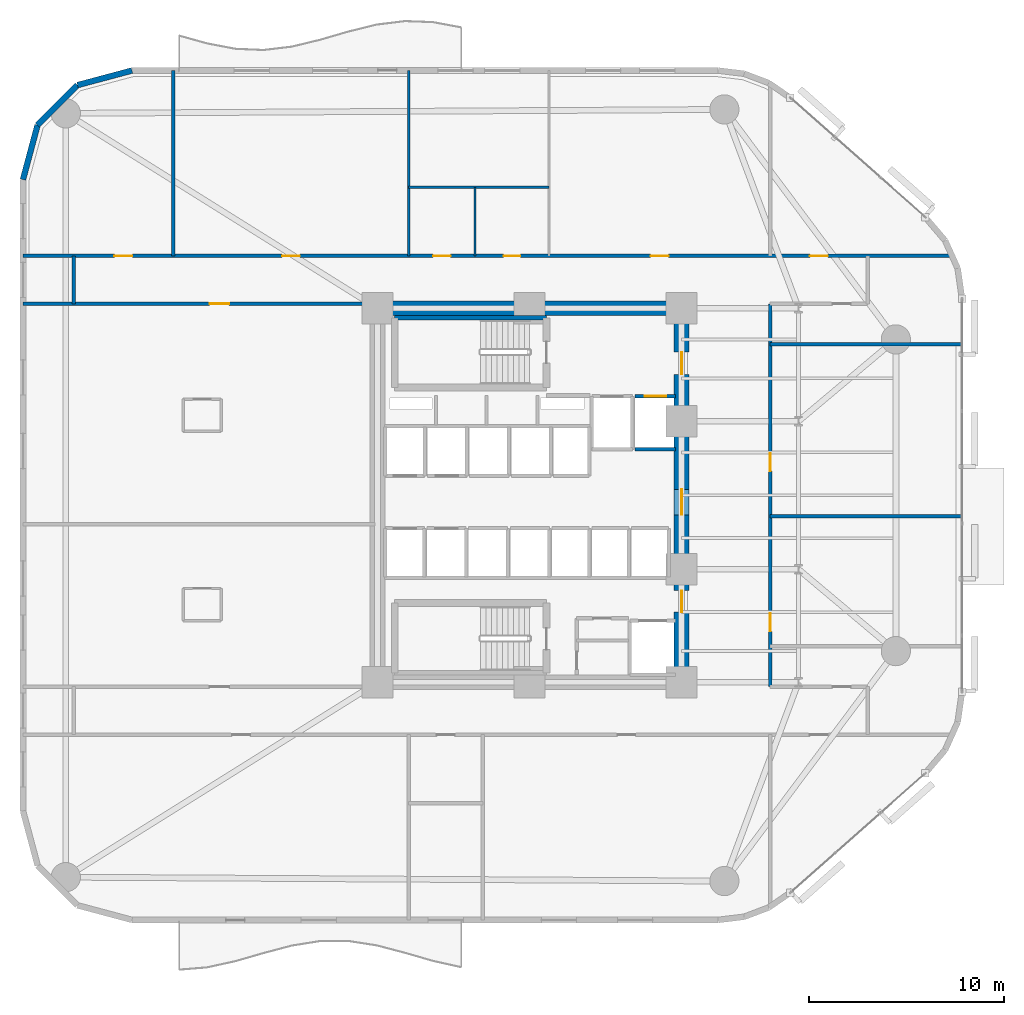
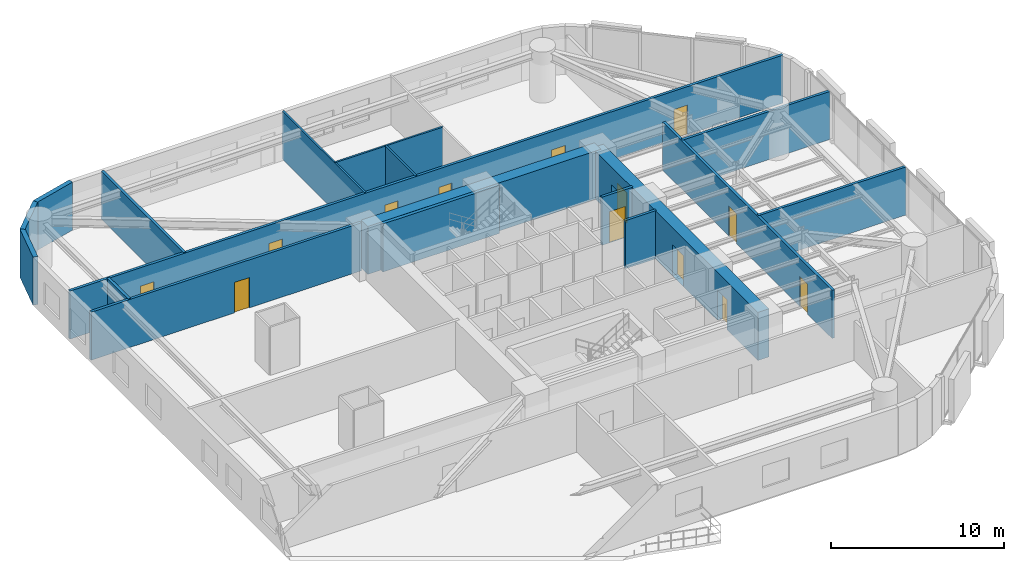
# One storey, part 12 of 16: 18 walls, 13 doors, 13 openings.
"""IFC4 building model written with IfcOpenShell, lengths in metres."""

from ifc_helpers import new_model, si_unit, direction, frame, frame_2d, origin, place, context, subcontext, project, spatial, rectangle, extrude, material, layer, layer_set, type_object, element, fill, save


model = new_model("IFC4")

# Units and contexts
model_context = context("Model", 3, precision=1e-05, world=origin(), true_north=direction((0.0, 1.0)))
body_context = subcontext(model_context, "Body", "Model", "MODEL_VIEW")
ifc_project = project(units=[si_unit("LENGTHUNIT", "METRE"), si_unit("AREAUNIT", "SQUARE_METRE"), si_unit("VOLUMEUNIT", "CUBIC_METRE"), si_unit("PLANEANGLEUNIT", "RADIAN"), si_unit("MASSUNIT", "GRAM", prefix="KILO")], contexts=[model_context])

# Site, building, storey
site_placement = place(None, origin())
site = spatial("IfcSite", under=ifc_project, at=site_placement, CompositionType="ELEMENT")
building_placement = place(site_placement, origin())
building = spatial("IfcBuilding", under=site, at=building_placement, Name="An Khanh Terracotta Commons", CompositionType="ELEMENT")
storey_placement = place(building_placement, frame((0.0, 0.0, 39.60009765625)))
storey = spatial("IfcBuildingStorey", under=building, at=storey_placement, Name="L10", CompositionType="ELEMENT", Elevation=39.60009765625)

# Wall
ifc_material_1 = material(Name="Concrete C70/85", Category="concrete")
ifc_layer_1 = layer(ifc_material_1, 0.75, Name="Concrete C70/85")
ifc_layer_set_1 = layer_set([ifc_layer_1], Name="Concrete C70/85")
wall_type_1 = type_object("IfcWallType", Name="WALL-CORE-750", PredefinedType="SHEAR", material=ifc_layer_set_1)
wall_1_placement = place(storey_placement, frame((21.60009765625, 33.60009765625, 0.0), z_axis=(0.0, 0.0, 1.0), x_axis=(1.0, 0.0, 0.0)))
element("IfcWall", 1, at=wall_1_placement, inside=storey, type_object=wall_type_1, Name="L10 Core Wall CWALL-L10-N", PredefinedType="SHEAR", context=body_context, shape_type="SweptSolid", body=[
    extrude(rectangle(XDim=15.599853515625, YDim=0.75, at=frame_2d((7.7998046875, 0.0))), origin(), (0.0, 0.0, 1.0), 3.39990234375),
])

# Wall, openings, doors
wall_2_placement = place(storey_placement, frame((37.199951171875, 14.39990234375, 0.0), z_axis=(0.0, 0.0, 1.0), x_axis=(0.0, 1.0, 0.0)))
wall_2 = element("IfcWall", 2, at=wall_2_placement, inside=storey, type_object=wall_type_1, Name="L10 Core Wall CWALL-L10-E", PredefinedType="SHEAR", context=body_context, shape_type="SweptSolid", body=[
    extrude(rectangle(XDim=19.2001953125, YDim=0.75, at=frame_2d((9.60009765625, 0.0))), origin(), (0.0, 0.0, 1.0), 3.39990234375),
])
opening_1_placement = place(wall_2_placement, frame((15.800048828125, 0.0, 0.0)))
opening_1 = element("IfcOpeningElement", 3, at=opening_1_placement, cuts=wall_2, Name="Opening D-FFL", PredefinedType="OPENING", context=body_context, shape_type="SweptSolid", body=[
    extrude(rectangle(XDim=1.14990234375, YDim=2.14990234375, at=frame_2d((0.574951171875, 1.074951171875))), frame((0.0, 0.385009765625, 0.0), z_axis=(0.0, -1.0, 0.0), x_axis=(1.0, 0.0, 0.0)), (0.0, 0.0, 1.0), 0.77001953125),
])
opening_2_placement = place(wall_2_placement, frame((3.60009765625, 0.0, 0.0)))
opening_2 = element("IfcOpeningElement", 4, at=opening_2_placement, cuts=wall_2, Name="Opening D-ST", PredefinedType="OPENING", context=body_context, shape_type="SweptSolid", body=[
    extrude(rectangle(XDim=1.10009765625, YDim=2.14990234375, at=frame_2d((0.550048828125, 1.074951171875))), frame((0.0, 0.385009765625, 0.0), z_axis=(0.0, -1.0, 0.0), x_axis=(1.0, 0.0, 0.0)), (0.0, 0.0, 1.0), 0.77001953125),
])
opening_3_placement = place(wall_2_placement, frame((8.60009765625, 0.0, 0.0)))
opening_3 = element("IfcOpeningElement", 5, at=opening_3_placement, cuts=wall_2, Name="Opening D-COR", PredefinedType="OPENING", context=body_context, shape_type="SweptSolid", body=[
    extrude(rectangle(XDim=1.300048828125, YDim=2.199951171875, at=frame_2d((0.64990234375, 1.10009765625))), frame((0.0, 0.385009765625, 0.0), z_axis=(0.0, -1.0, 0.0), x_axis=(1.0, 0.0, 0.0)), (0.0, 0.0, 1.0), 0.77001953125),
])
ifc_material_2 = material(Name="Fire-Rated Glazed Steel Double Door", Category="steel")
door_type_1 = type_object("IfcDoorType", Name="DOOR-CORR-1300", OperationType="NOTDEFINED", PredefinedType="DOOR", material=ifc_material_2)
door_1_placement = place(opening_3_placement, origin())
door_1 = element("IfcDoor", 6, at=door_1_placement, inside=storey, type_object=door_type_1, Name="L10 Passenger Lift Lobby Double Door", OperationType="DOUBLE_DOOR_SINGLE_SWING", OverallHeight=2.199951171875, OverallWidth=1.300048828125, PredefinedType="DOOR", context=body_context, shape_type="SweptSolid", body=[
    extrude(rectangle(XDim=1.300048828125, YDim=2.199951171875, at=frame_2d((0.64990234375, 1.10009765625))), frame((0.0, 0.02490234375, 0.0), z_axis=(0.0, -1.0, 0.0), x_axis=(1.0, 0.0, 0.0)), (0.0, 0.0, 1.0), 0.050048828125),
])
fill(opening_3, door_1)
ifc_material_3 = material(Name="Fire-Rated Steel Leaf and Vision Panel", Category="steel")
door_type_2 = type_object("IfcDoorType", Name="DOOR-FFL-1150", OperationType="NOTDEFINED", PredefinedType="DOOR", material=ifc_material_3)
door_2_placement = place(opening_1_placement, origin())
door_2 = element("IfcDoor", 7, at=door_2_placement, inside=storey, type_object=door_type_2, Name="L10 Firefighting Lift Lobby Fire Door", OperationType="SINGLE_SWING_RIGHT", OverallHeight=2.14990234375, OverallWidth=1.14990234375, PredefinedType="DOOR", context=body_context, shape_type="SweptSolid", body=[
    extrude(rectangle(XDim=1.14990234375, YDim=2.14990234375, at=frame_2d((0.574951171875, 1.074951171875))), frame((0.0, 0.02490234375, 0.0), z_axis=(0.0, -1.0, 0.0), x_axis=(1.0, 0.0, 0.0)), (0.0, 0.0, 1.0), 0.050048828125),
])
fill(opening_1, door_2)
ifc_material_4 = material(Name="Fire-Rated Steel Leaf and Frame", Category="steel")
door_type_3 = type_object("IfcDoorType", Name="DOOR-STAIR-1100", OperationType="NOTDEFINED", PredefinedType="DOOR", material=ifc_material_4)
door_3_placement = place(opening_2_placement, origin())
door_3 = element("IfcDoor", 8, at=door_3_placement, inside=storey, type_object=door_type_3, Name="L10 South Stair Lobby Fire Door", OperationType="SINGLE_SWING_LEFT", OverallHeight=2.14990234375, OverallWidth=1.10009765625, PredefinedType="DOOR", context=body_context, shape_type="SweptSolid", body=[
    extrude(rectangle(XDim=1.10009765625, YDim=2.14990234375, at=frame_2d((0.550048828125, 1.074951171875))), frame((0.0, 0.02490234375, 0.0), z_axis=(0.0, -1.0, 0.0), x_axis=(1.0, 0.0, 0.0)), (0.0, 0.0, 1.0), 0.050048828125),
])
fill(opening_2, door_3)

# Wall, opening, door
ifc_material_5 = material(Name="Fire-Rated Gypsum Board on Steel Stud", Category="steel")
ifc_layer_2 = layer(ifc_material_5, 0.179931640625, Name="Fire-Rated Gypsum Board on Steel Stud")
ifc_layer_set_2 = layer_set([ifc_layer_2], Name="Fire-Rated Gypsum Board on Steel Stud")
wall_type_2 = type_object("IfcWallType", Name="WALL-CORR-180", PredefinedType="PARTITIONING", material=ifc_layer_set_2)
wall_3_placement = place(storey_placement, frame((34.820068359375, 29.080078125, 0.0), z_axis=(0.0, 0.0, 1.0), x_axis=(1.0, 0.0, 0.0)))
wall_3 = element("IfcWall", 9, at=wall_3_placement, inside=storey, type_object=wall_type_2, Name="L10 Core Wall LSH-L10-FFL-02-N", PredefinedType="PARTITIONING", context=body_context, shape_type="SweptSolid", body=[
    extrude(rectangle(XDim=2.079833984375, YDim=0.179931640625, at=frame_2d((1.0400390625, 0.0))), origin(), (0.0, 0.0, 1.0), 3.39990234375),
])
opening_4_placement = place(wall_3_placement, frame((0.489990234375, 0.0, 0.0)))
opening_4 = element("IfcOpeningElement", 10, at=opening_4_placement, cuts=wall_3, Name="Opening LD-FFL-02-L10", PredefinedType="OPENING", context=body_context, shape_type="SweptSolid", body=[
    extrude(rectangle(XDim=1.10009765625, YDim=2.199951171875, at=frame_2d((0.550048828125, 1.10009765625))), frame((0.0, 0.099853515625, 0.0), z_axis=(0.0, -1.0, 0.0), x_axis=(1.0, 0.0, 0.0)), (0.0, 0.0, 1.0), 0.199951171875),
])
ifc_material_6 = material(Name="Brushed Stainless Steel Fire Landing Door", Category="steel")
door_type_4 = type_object("IfcDoorType", Name="DOOR-LD-FFL-1100", OperationType="NOTDEFINED", PredefinedType="DOOR", material=ifc_material_6)
door_4_placement = place(opening_4_placement, origin())
door_4 = element("IfcDoor", 11, at=door_4_placement, inside=storey, type_object=door_type_4, Name="L10 Lift FFL-02 Sliding Landing Door", OperationType="DOUBLE_DOOR_SLIDING", OverallHeight=2.199951171875, OverallWidth=1.10009765625, PredefinedType="DOOR", context=body_context, shape_type="SweptSolid", body=[
    extrude(rectangle(XDim=1.10009765625, YDim=2.199951171875, at=frame_2d((0.550048828125, 1.10009765625))), frame((0.0, 0.02490234375, 0.0), z_axis=(0.0, -1.0, 0.0), x_axis=(1.0, 0.0, 0.0)), (0.0, 0.0, 1.0), 0.050048828125),
])
fill(opening_4, door_4)

# Walls
wall_4_placement = place(storey_placement, frame((36.89990234375, 26.35009765625, 0.0), z_axis=(0.0, 0.0, 1.0), x_axis=(-1.0, 0.0, 0.0)))
element("IfcWall", 12, at=wall_4_placement, inside=storey, type_object=wall_type_2, Name="L10 Core Wall LSH-L10-FFL-02-S", PredefinedType="PARTITIONING", context=body_context, shape_type="SweptSolid", body=[
    extrude(rectangle(XDim=2.079833984375, YDim=0.179931640625, at=frame_2d((1.0400390625, 0.0))), origin(), (0.0, 0.0, 1.0), 3.39990234375),
])
for number, where, z_axis, x_axis, name in (
    (13, (41.75, 22.931884765625, 0.0), (0.0, 0.0, 1.0), (1.0, 0.0, 0.0), "L10 Interior Partition IW-L10-E007"),
    (14, (41.75, 31.741943359375, 0.0), (0.0, 0.0, 1.0), (1.0, 0.0, 0.0), "L10 Interior Partition IW-L10-E008"),
):
    element("IfcWall", number, at=place(storey_placement, frame(where, z_axis=z_axis, x_axis=x_axis)), inside=storey, type_object=wall_type_2, Name=name, PredefinedType="PARTITIONING", context=body_context, shape_type="SweptSolid", body=[
        extrude(rectangle(XDim=9.85009765625, YDim=0.179931640625, at=frame_2d((4.925048828125, 0.0))), origin(), (0.0, 0.0, 1.0), 3.39990234375),
    ])

# Wall, opening, door
wall_5_placement = place(storey_placement, frame((3.39990234375, 33.820068359375, 0.0), z_axis=(0.0, 0.0, 1.0), x_axis=(1.0, 0.0, 0.0)))
wall_5 = element("IfcWall", 15, at=wall_5_placement, inside=storey, type_object=wall_type_2, Name="L10 Interior Partition IW-L10-E009", PredefinedType="PARTITIONING", context=body_context, shape_type="SweptSolid", body=[
    extrude(rectangle(XDim=18.080078125, YDim=0.179931640625, at=frame_2d((9.0400390625, 0.0))), origin(), (0.0, 0.0, 1.0), 3.39990234375),
])
opening_5_placement = place(wall_5_placement, frame((9.580078125, 0.0, 0.0)))
opening_5 = element("IfcOpeningElement", 16, at=opening_5_placement, cuts=wall_5, Name="Opening D-UN", PredefinedType="OPENING", context=body_context, shape_type="SweptSolid", body=[
    extrude(rectangle(XDim=1.0, YDim=2.14990234375, at=frame_2d((0.5, 1.074951171875))), frame((0.0, 0.099853515625, 0.0), z_axis=(0.0, -1.0, 0.0), x_axis=(1.0, 0.0, 0.0)), (0.0, 0.0, 1.0), 0.199951171875),
])
ifc_material_7 = material(Name="Solid-Core Hardwood Acoustic Fire Door", Category="wood")
door_type_5 = type_object("IfcDoorType", Name="DOOR-UNIT-1000", OperationType="NOTDEFINED", PredefinedType="DOOR", material=ifc_material_7)
door_5_placement = place(opening_5_placement, origin())
door_5 = element("IfcDoor", 17, at=door_5_placement, inside=storey, type_object=door_type_5, Name="L10 WW2 Kitchenette and Studio Apartment Door", OperationType="SINGLE_SWING_LEFT", OverallHeight=2.14990234375, OverallWidth=1.0, PredefinedType="DOOR", context=body_context, shape_type="SweptSolid", body=[
    extrude(rectangle(XDim=1.0, YDim=2.14990234375, at=frame_2d((0.5, 1.074951171875))), frame((0.0, 0.02490234375, 0.0), z_axis=(0.0, -1.0, 0.0), x_axis=(1.0, 0.0, 0.0)), (0.0, 0.0, 1.0), 0.050048828125),
])
fill(opening_5, door_5)

# Wall, openings, doors
wall_6_placement = place(storey_placement, frame((3.39990234375, 36.280029296875, 0.0), z_axis=(0.0, 0.0, 1.0), x_axis=(1.0, 0.0, 0.0)))
wall_6 = element("IfcWall", 18, at=wall_6_placement, inside=storey, type_object=wall_type_2, Name="L10 Interior Partition IW-L10-E011", PredefinedType="PARTITIONING", context=body_context, shape_type="SweptSolid", body=[
    extrude(rectangle(XDim=47.689208984375, YDim=0.179931640625, at=frame_2d((23.8447265625, 0.0))), origin(), (0.0, 0.0, 1.0), 3.39990234375),
])
opening_6_placement = place(wall_6_placement, frame((21.050048828125, 0.0, 0.0)))
opening_6 = element("IfcOpeningElement", 19, at=opening_6_placement, cuts=wall_6, Name="Opening D-WC", PredefinedType="OPENING", context=body_context, shape_type="SweptSolid", body=[
    extrude(rectangle(XDim=0.89990234375, YDim=2.10009765625, at=frame_2d((0.449951171875, 1.050048828125))), frame((0.0, 0.099853515625, 0.0), z_axis=(0.0, -1.0, 0.0), x_axis=(1.0, 0.0, 0.0)), (0.0, 0.0, 1.0), 0.199951171875),
])
opening_7_placement = place(wall_6_placement, frame((24.669921875, 0.0, 0.0)))
opening_7 = element("IfcOpeningElement", 20, at=opening_7_placement, cuts=wall_6, Name="Opening D-ENS", PredefinedType="OPENING", context=body_context, shape_type="SweptSolid", body=[
    extrude(rectangle(XDim=0.860107421875, YDim=2.10009765625, at=frame_2d((0.43017578125, 1.050048828125))), frame((0.0, 0.099853515625, 0.0), z_axis=(0.0, -1.0, 0.0), x_axis=(1.0, 0.0, 0.0)), (0.0, 0.0, 1.0), 0.199951171875),
])
opening_8_placement = place(wall_6_placement, frame((40.389892578125, 0.0, 0.0)))
opening_8 = element("IfcOpeningElement", 21, at=opening_8_placement, cuts=wall_6, Name="Opening D-RM", PredefinedType="OPENING", context=body_context, shape_type="SweptSolid", body=[
    extrude(rectangle(XDim=0.919921875, YDim=2.10009765625, at=frame_2d((0.4599609375, 1.050048828125))), frame((0.0, 0.099853515625, 0.0), z_axis=(0.0, -1.0, 0.0), x_axis=(1.0, 0.0, 0.0)), (0.0, 0.0, 1.0), 0.199951171875),
])
opening_9_placement = place(wall_6_placement, frame((4.698974609375, 0.0, 0.0)))
opening_9 = element("IfcOpeningElement", 22, at=opening_9_placement, cuts=wall_6, Name="Opening D-RM", PredefinedType="OPENING", context=body_context, shape_type="SweptSolid", body=[
    extrude(rectangle(XDim=0.919921875, YDim=2.10009765625, at=frame_2d((0.4599609375, 1.050048828125))), frame((0.0, 0.099853515625, 0.0), z_axis=(0.0, -1.0, 0.0), x_axis=(1.0, 0.0, 0.0)), (0.0, 0.0, 1.0), 0.199951171875),
])
opening_10_placement = place(wall_6_placement, frame((13.298095703125, 0.0, 0.0)))
opening_10 = element("IfcOpeningElement", 23, at=opening_10_placement, cuts=wall_6, Name="Opening D-RM", PredefinedType="OPENING", context=body_context, shape_type="SweptSolid", body=[
    extrude(rectangle(XDim=0.919921875, YDim=2.10009765625, at=frame_2d((0.4599609375, 1.050048828125))), frame((0.0, 0.099853515625, 0.0), z_axis=(0.0, -1.0, 0.0), x_axis=(1.0, 0.0, 0.0)), (0.0, 0.0, 1.0), 0.199951171875),
])
opening_11_placement = place(wall_6_placement, frame((32.215087890625, 0.0, 0.0)))
opening_11 = element("IfcOpeningElement", 24, at=opening_11_placement, cuts=wall_6, Name="Opening D-RM", PredefinedType="OPENING", context=body_context, shape_type="SweptSolid", body=[
    extrude(rectangle(XDim=0.919921875, YDim=2.10009765625, at=frame_2d((0.4599609375, 1.050048828125))), frame((0.0, 0.099853515625, 0.0), z_axis=(0.0, -1.0, 0.0), x_axis=(1.0, 0.0, 0.0)), (0.0, 0.0, 1.0), 0.199951171875),
])
ifc_material_8 = material(Name="Moisture-Resistant Hardwood Timber Leaf", Category="wood")
door_type_6 = type_object("IfcDoorType", Name="DOOR-BATH-860", OperationType="NOTDEFINED", PredefinedType="DOOR", material=ifc_material_8)
door_6_placement = place(opening_7_placement, origin())
door_6 = element("IfcDoor", 25, at=door_6_placement, inside=storey, type_object=door_type_6, Name="L10 SHW Resident Shared Shower and Washroom Door", OperationType="SINGLE_SWING_LEFT", OverallHeight=2.10009765625, OverallWidth=0.860107421875, PredefinedType="DOOR", context=body_context, shape_type="SweptSolid", body=[
    extrude(rectangle(XDim=0.860107421875, YDim=2.10009765625, at=frame_2d((0.43017578125, 1.050048828125))), frame((0.0, 0.02490234375, 0.0), z_axis=(0.0, -1.0, 0.0), x_axis=(1.0, 0.0, 0.0)), (0.0, 0.0, 1.0), 0.050048828125),
])
fill(opening_7, door_6)
ifc_material_9 = material(Name="Engineered Hardwood Timber Leaf", Category="wood")
door_type_7 = type_object("IfcDoorType", Name="DOOR-INT-920", OperationType="NOTDEFINED", PredefinedType="DOOR", material=ifc_material_9)
door_7_placement = place(opening_8_placement, origin())
door_7 = element("IfcDoor", 26, at=door_7_placement, inside=storey, type_object=door_type_7, Name="L10 FANN Quiet Focus Office Door", OperationType="SINGLE_SWING_LEFT", OverallHeight=2.10009765625, OverallWidth=0.919921875, PredefinedType="DOOR", context=body_context, shape_type="SweptSolid", body=[
    extrude(rectangle(XDim=0.919921875, YDim=2.10009765625, at=frame_2d((0.4599609375, 1.050048828125))), frame((0.0, 0.02490234375, 0.0), z_axis=(0.0, -1.0, 0.0), x_axis=(1.0, 0.0, 0.0)), (0.0, 0.0, 1.0), 0.050048828125),
])
fill(opening_8, door_7)
door_8_placement = place(opening_9_placement, origin())
door_8 = element("IfcDoor", 27, at=door_8_placement, inside=storey, type_object=door_type_7, Name="L10 NW1 Collaborative Study Lounge Door", OperationType="SINGLE_SWING_LEFT", OverallHeight=2.10009765625, OverallWidth=0.919921875, PredefinedType="DOOR", context=body_context, shape_type="SweptSolid", body=[
    extrude(rectangle(XDim=0.919921875, YDim=2.10009765625, at=frame_2d((0.4599609375, 1.050048828125))), frame((0.0, 0.02490234375, 0.0), z_axis=(0.0, -1.0, 0.0), x_axis=(1.0, 0.0, 0.0)), (0.0, 0.0, 1.0), 0.050048828125),
])
fill(opening_9, door_8)
door_9_placement = place(opening_10_placement, origin())
door_9 = element("IfcDoor", 28, at=door_9_placement, inside=storey, type_object=door_type_7, Name="L10 NW2 Collaborative Study Lounge Door", OperationType="SINGLE_SWING_RIGHT", OverallHeight=2.10009765625, OverallWidth=0.919921875, PredefinedType="DOOR", context=body_context, shape_type="SweptSolid", body=[
    extrude(rectangle(XDim=0.919921875, YDim=2.10009765625, at=frame_2d((0.4599609375, 1.050048828125))), frame((0.0, 0.02490234375, 0.0), z_axis=(0.0, -1.0, 0.0), x_axis=(1.0, 0.0, 0.0)), (0.0, 0.0, 1.0), 0.050048828125),
])
fill(opening_10, door_9)
door_10_placement = place(opening_11_placement, origin())
door_10 = element("IfcDoor", 29, at=door_10_placement, inside=storey, type_object=door_type_7, Name="L10 NWE Collaborative Study Lounge Door", OperationType="SINGLE_SWING_LEFT", OverallHeight=2.10009765625, OverallWidth=0.919921875, PredefinedType="DOOR", context=body_context, shape_type="SweptSolid", body=[
    extrude(rectangle(XDim=0.919921875, YDim=2.10009765625, at=frame_2d((0.4599609375, 1.050048828125))), frame((0.0, 0.02490234375, 0.0), z_axis=(0.0, -1.0, 0.0), x_axis=(1.0, 0.0, 0.0)), (0.0, 0.0, 1.0), 0.050048828125),
])
fill(opening_11, door_10)
ifc_material_10 = material(Name="Laminate Moisture-Resistant Timber Leaf", Category="wood")
door_type_8 = type_object("IfcDoorType", Name="DOOR-WC-900", OperationType="NOTDEFINED", PredefinedType="DOOR", material=ifc_material_10)
door_11_placement = place(opening_6_placement, origin())
door_11 = element("IfcDoor", 30, at=door_11_placement, inside=storey, type_object=door_type_8, Name="L10 AWC Accessible WC Door", OperationType="SINGLE_SWING_RIGHT", OverallHeight=2.10009765625, OverallWidth=0.89990234375, PredefinedType="DOOR", context=body_context, shape_type="SweptSolid", body=[
    extrude(rectangle(XDim=0.89990234375, YDim=2.10009765625, at=frame_2d((0.449951171875, 1.050048828125))), frame((0.0, 0.02490234375, 0.0), z_axis=(0.0, -1.0, 0.0), x_axis=(1.0, 0.0, 0.0)), (0.0, 0.0, 1.0), 0.050048828125),
])
fill(opening_6, door_11)

# Walls
wall_7_placement = place(storey_placement, frame((6.0, 33.820068359375, 0.0), z_axis=(0.0, 0.0, 1.0), x_axis=(0.0, 1.0, 0.0)))
element("IfcWall", 31, at=wall_7_placement, inside=storey, type_object=wall_type_2, Name="L10 Interior Partition IW-L10-E014", PredefinedType="PARTITIONING", context=body_context, shape_type="SweptSolid", body=[
    extrude(rectangle(XDim=2.4599609375, YDim=0.179931640625, at=frame_2d((1.22998046875, 0.0))), origin(), (0.0, 0.0, 1.0), 3.39990234375),
])
wall_8_placement = place(storey_placement, frame((11.116943359375, 36.280029296875, 0.0), z_axis=(0.0, 0.0, 1.0), x_axis=(0.0, 1.0, 0.0)))
element("IfcWall", 32, at=wall_8_placement, inside=storey, type_object=wall_type_2, Name="L10 Interior Partition IW-L10-E015", PredefinedType="PARTITIONING", context=body_context, shape_type="SweptSolid", body=[
    extrude(rectangle(XDim=9.52001953125, YDim=0.179931640625, at=frame_2d((4.760009765625, 0.0))), origin(), (0.0, 0.0, 1.0), 3.39990234375),
])

# Wall, openings, doors
wall_9_placement = place(storey_placement, frame((41.75, 14.179931640625, 0.0), z_axis=(0.0, 0.0, 1.0), x_axis=(0.0, 1.0, 0.0)))
wall_9 = element("IfcWall", 33, at=wall_9_placement, inside=storey, type_object=wall_type_2, Name="L10 Interior Partition IW-L10-E022", PredefinedType="PARTITIONING", context=body_context, shape_type="SweptSolid", body=[
    extrude(rectangle(XDim=19.64013671875, YDim=0.179931640625, at=frame_2d((9.820068359375, 0.0))), origin(), (0.0, 0.0, 1.0), 3.39990234375),
])
opening_12_placement = place(wall_9_placement, frame((2.8359375, 0.0, 0.0)))
opening_12 = element("IfcOpeningElement", 34, at=opening_12_placement, cuts=wall_9, Name="Opening D-RM", PredefinedType="OPENING", context=body_context, shape_type="SweptSolid", body=[
    extrude(rectangle(XDim=0.919921875, YDim=2.10009765625, at=frame_2d((0.4599609375, 1.050048828125))), frame((0.0, 0.099853515625, 0.0), z_axis=(0.0, -1.0, 0.0), x_axis=(1.0, 0.0, 0.0)), (0.0, 0.0, 1.0), 0.199951171875),
])
opening_13_placement = place(wall_9_placement, frame((11.05908203125, 0.0, 0.0)))
opening_13 = element("IfcOpeningElement", 35, at=opening_13_placement, cuts=wall_9, Name="Opening D-RM", PredefinedType="OPENING", context=body_context, shape_type="SweptSolid", body=[
    extrude(rectangle(XDim=0.919921875, YDim=2.10009765625, at=frame_2d((0.4599609375, 1.050048828125))), frame((0.0, 0.099853515625, 0.0), z_axis=(0.0, -1.0, 0.0), x_axis=(1.0, 0.0, 0.0)), (0.0, 0.0, 1.0), 0.199951171875),
])
door_12_placement = place(opening_12_placement, origin())
door_12 = element("IfcDoor", 36, at=door_12_placement, inside=storey, type_object=door_type_7, Name="L10 FAN2 Collaborative Study Lounge Door", OperationType="SINGLE_SWING_RIGHT", OverallHeight=2.10009765625, OverallWidth=0.919921875, PredefinedType="DOOR", context=body_context, shape_type="SweptSolid", body=[
    extrude(rectangle(XDim=0.919921875, YDim=2.10009765625, at=frame_2d((0.4599609375, 1.050048828125))), frame((0.0, 0.02490234375, 0.0), z_axis=(0.0, -1.0, 0.0), x_axis=(1.0, 0.0, 0.0)), (0.0, 0.0, 1.0), 0.050048828125),
])
fill(opening_12, door_12)
door_13_placement = place(opening_13_placement, origin())
door_13 = element("IfcDoor", 37, at=door_13_placement, inside=storey, type_object=door_type_7, Name="L10 FAN3 Collaborative Study Lounge Door", OperationType="SINGLE_SWING_LEFT", OverallHeight=2.10009765625, OverallWidth=0.919921875, PredefinedType="DOOR", context=body_context, shape_type="SweptSolid", body=[
    extrude(rectangle(XDim=0.919921875, YDim=2.10009765625, at=frame_2d((0.4599609375, 1.050048828125))), frame((0.0, 0.02490234375, 0.0), z_axis=(0.0, -1.0, 0.0), x_axis=(1.0, 0.0, 0.0)), (0.0, 0.0, 1.0), 0.050048828125),
])
fill(opening_13, door_13)

# Walls
ifc_material_11 = material(Name="Precast concrete C40/50", Category="concrete")
ifc_layer_3 = layer(ifc_material_11, 0.300048828125, Name="Precast concrete C40/50")
ifc_layer_set_3 = layer_set([ifc_layer_3], Name="Precast concrete C40/50")
wall_type_3 = type_object("IfcWallType", Name="WALL-EXT-300", PredefinedType="SOLIDWALL", material=ifc_layer_set_3)
wall_10_placement = place(storey_placement, frame((9.0, 45.800048828125, 0.0), z_axis=(0.0, 0.0, 1.0), x_axis=(-0.96594917914, -0.258731875344, 0.0)))
element("IfcWall", 38, at=wall_10_placement, inside=storey, type_object=wall_type_3, Name="L10 Insulated Terracotta Exterior Wall 21", PredefinedType="SOLIDWALL", context=body_context, shape_type="SweptSolid", body=[
    extrude(rectangle(XDim=2.898681640625, YDim=0.300048828125, at=frame_2d((1.44921875, 0.0))), origin(), (0.0, 0.0, 1.0), 3.39990234375),
])
wall_11_placement = place(storey_placement, frame((6.199951171875, 45.050048828125, 0.0), z_axis=(0.0, 0.0, 1.0), x_axis=(-0.707106781187, -0.707106781187, 0.0)))
element("IfcWall", 39, at=wall_11_placement, inside=storey, type_object=wall_type_3, Name="L10 Insulated Terracotta Exterior Wall 22", PredefinedType="SOLIDWALL", context=body_context, shape_type="SweptSolid", body=[
    extrude(rectangle(XDim=2.899169921875, YDim=0.300048828125, at=frame_2d((1.44970703125, 0.0))), origin(), (0.0, 0.0, 1.0), 3.39990234375),
])
wall_12_placement = place(storey_placement, frame((4.14990234375, 43.0, 0.0), z_axis=(0.0, 0.0, 1.0), x_axis=(-0.258731875344, -0.96594917914, 0.0)))
element("IfcWall", 40, at=wall_12_placement, inside=storey, type_object=wall_type_3, Name="L10 Insulated Terracotta Exterior Wall 23", PredefinedType="SOLIDWALL", context=body_context, shape_type="SweptSolid", body=[
    extrude(rectangle(XDim=2.898681640625, YDim=0.300048828125, at=frame_2d((1.44921875, 0.0))), origin(), (0.0, 0.0, 1.0), 3.39990234375),
])
ifc_material_12 = material(Name="Acoustic Double-Stud Gypsum and Mineral Wool")
ifc_layer_4 = layer(ifc_material_12, 0.219970703125, Name="Acoustic Double-Stud Gypsum and Mineral Wool")
ifc_layer_set_4 = layer_set([ifc_layer_4], Name="Acoustic Double-Stud Gypsum and Mineral Wool")
wall_type_4 = type_object("IfcWallType", Name="WALL-PARTY-220", PredefinedType="PARTITIONING", material=ifc_layer_set_4)
wall_13_placement = place(storey_placement, frame((22.47998046875, 33.110107421875, 0.0), z_axis=(0.0, 0.0, 1.0), x_axis=(1.0, 0.0, 0.0)))
element("IfcWall", 41, at=wall_13_placement, inside=storey, type_object=wall_type_4, Name="L10 Core Wall STW-L10-N-N", PredefinedType="PARTITIONING", context=body_context, shape_type="SweptSolid", body=[
    extrude(rectangle(XDim=7.7900390625, YDim=0.219970703125, at=frame_2d((3.89501953125, 0.0))), origin(), (0.0, 0.0, 1.0), 3.39990234375),
])
ifc_material_13 = material(Name="Moisture-Resistant Cement Board Partition")
ifc_layer_5 = layer(ifc_material_13, 0.1201171875, Name="Moisture-Resistant Cement Board Partition")
ifc_layer_set_5 = layer_set([ifc_layer_5], Name="Moisture-Resistant Cement Board Partition")
wall_type_5 = type_object("IfcWallType", Name="WALL-WET-120", PredefinedType="PARTITIONING", material=ifc_layer_set_5)
wall_14_placement = place(storey_placement, frame((23.199951171875, 39.800048828125, 0.0), z_axis=(0.0, 0.0, 1.0), x_axis=(1.0, 0.0, 0.0)))
element("IfcWall", 42, at=wall_14_placement, inside=storey, type_object=wall_type_5, Name="L10 Interior Partition IW-L10-E012", PredefinedType="PARTITIONING", context=body_context, shape_type="SweptSolid", body=[
    extrude(rectangle(XDim=7.199951171875, YDim=0.1201171875, at=frame_2d((3.60009765625, 0.0))), origin(), (0.0, 0.0, 1.0), 3.39990234375),
])
wall_15_placement = place(storey_placement, frame((23.199951171875, 36.280029296875, 0.0), z_axis=(0.0, 0.0, 1.0), x_axis=(0.0, 1.0, 0.0)))
element("IfcWall", 43, at=wall_15_placement, inside=storey, type_object=wall_type_5, Name="L10 Interior Partition IW-L10-E017", PredefinedType="PARTITIONING", context=body_context, shape_type="SweptSolid", body=[
    extrude(rectangle(XDim=9.52001953125, YDim=0.1201171875, at=frame_2d((4.760009765625, 0.0))), origin(), (0.0, 0.0, 1.0), 3.39990234375),
])
wall_16_placement = place(storey_placement, frame((26.60009765625, 36.280029296875, 0.0), z_axis=(0.0, 0.0, 1.0), x_axis=(0.0, 1.0, 0.0)))
element("IfcWall", 44, at=wall_16_placement, inside=storey, type_object=wall_type_5, Name="L10 Interior Partition IW-L10-E018", PredefinedType="PARTITIONING", context=body_context, shape_type="SweptSolid", body=[
    extrude(rectangle(XDim=3.52001953125, YDim=0.1201171875, at=frame_2d((1.760009765625, 0.0))), origin(), (0.0, 0.0, 1.0), 3.39990234375),
])

save(model, "model.ifc")
